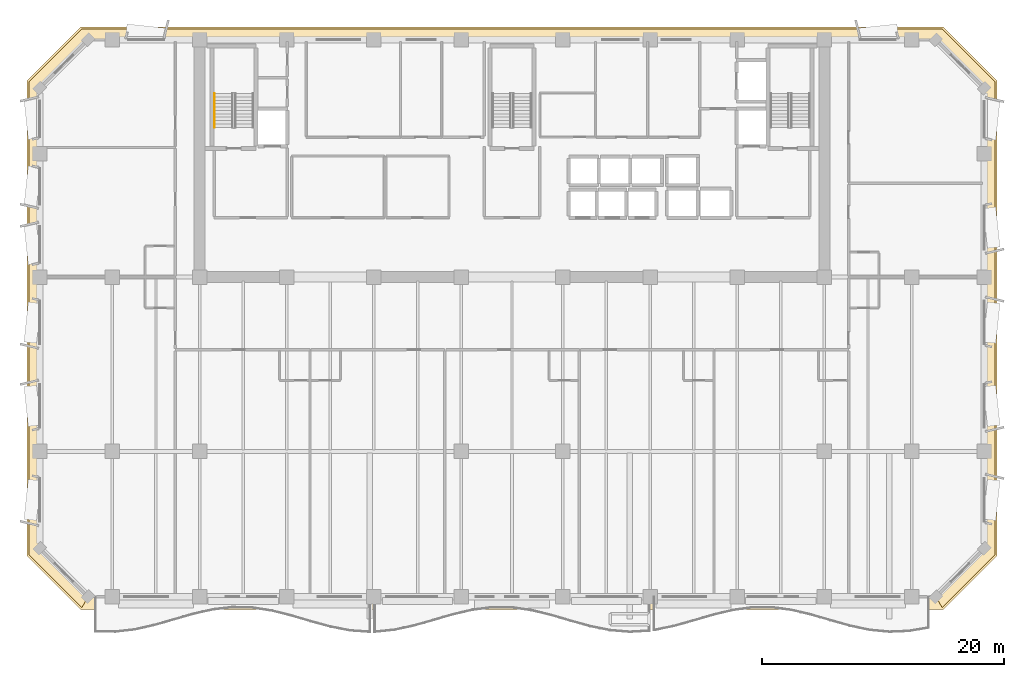
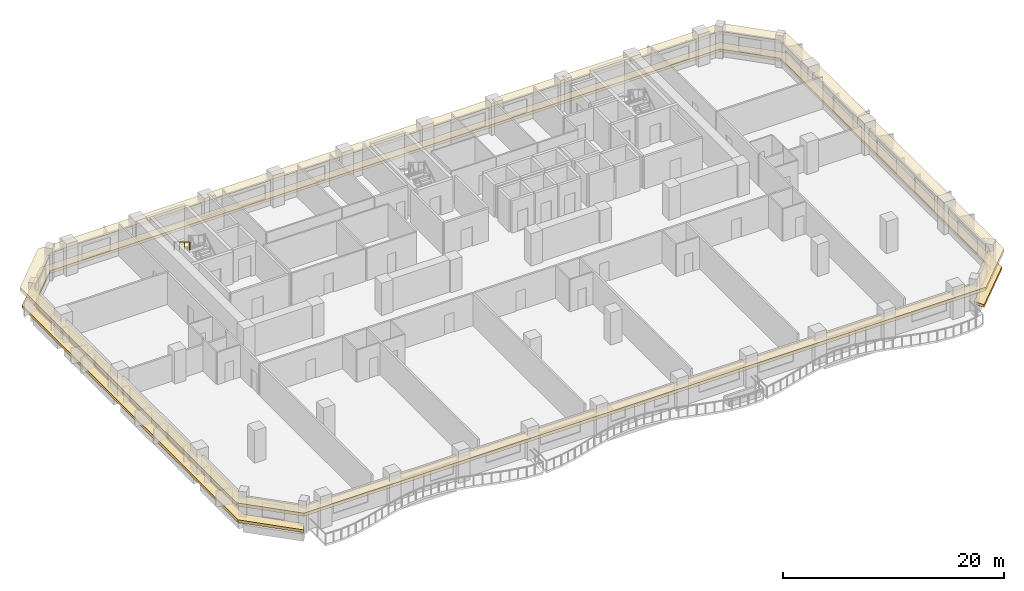
# One storey, part 11 of 14: 2 coverings, 1 railing.
"""IFC4 building model written with IfcOpenShell, lengths in metres."""

from ifc_helpers import new_model, si_unit, direction, frame, origin, origin_2d, place, context, subcontext, project, spatial, polyline, rectangle, outline, extrude, material, layer, layer_set, type_object, element, save


model = new_model("IFC4")

# Units and contexts
model_context = context("Model", 3, precision=1e-05, world=origin(), true_north=direction((0.0, 1.0)))
body_context = subcontext(model_context, "Body", "Model", "MODEL_VIEW")
ifc_project = project(units=[si_unit("LENGTHUNIT", "METRE"), si_unit("AREAUNIT", "SQUARE_METRE"), si_unit("VOLUMEUNIT", "CUBIC_METRE"), si_unit("PLANEANGLEUNIT", "RADIAN"), si_unit("MASSUNIT", "GRAM", prefix="KILO")], contexts=[model_context])

# Site, building, storey
site_placement = place(None, origin())
site = spatial("IfcSite", under=ifc_project, at=site_placement, CompositionType="ELEMENT")
building_placement = place(site_placement, origin())
building = spatial("IfcBuilding", under=site, at=building_placement, Name="Kaelvorn Grand Hotel", CompositionType="ELEMENT")
storey_placement = place(building_placement, frame((0.0, 0.0, 201.550048828125)))
storey = spatial("IfcBuildingStorey", under=building, at=storey_placement, Name="L49", CompositionType="ELEMENT", Elevation=201.550048828125)

# Coverings
ifc_material_1 = material(Name="Precast concrete C45/55", Category="concrete")
ifc_layer_1 = layer(ifc_material_1, 0.260009765625)
ifc_layer_set_1 = layer_set([ifc_layer_1], Name="Precast concrete C45/55")
covering_type_1 = type_object("IfcCoveringType", Name="COV-BAND-STREAMLINE-HEAD", PredefinedType="CLADDING", material=ifc_layer_set_1)
covering_1_placement = place(storey_placement, frame((0.0, 0.0, 2.3798828125)))
element("IfcCovering", 1, at=covering_1_placement, inside=storey, type_object=covering_type_1, Name="L49 Streamline Moderne Wraparound Horizontal Eyebrow Band", PredefinedType="CLADDING", context=body_context, shape_type="SweptSolid", body=[
    extrude(outline(polyline([(6.389892578125, 1.949951171875), (77.610107421875, 1.949951171875), (82.050048828125, 6.389892578125), (82.050048828125, 45.610107421875), (77.610107421875, 50.050048828125), (6.389892578125, 50.050048828125), (1.949951171875, 45.610107421875), (1.949951171875, 6.389892578125), (6.389892578125, 1.949951171875)]), holes=[polyline([(7.02001953125, 3.030029296875), (76.97998046875, 3.030029296875), (80.969970703125, 7.02001953125), (80.969970703125, 44.97998046875), (76.97998046875, 48.969970703125), (7.02001953125, 48.969970703125), (3.030029296875, 44.97998046875), (3.030029296875, 7.02001953125), (7.02001953125, 3.030029296875)])]), origin(), (0.0, 0.0, 1.0), 0.360107421875),
])
ifc_layer_2 = layer(ifc_material_1, 0.219970703125)
ifc_layer_set_2 = layer_set([ifc_layer_2], Name="Precast concrete C45/55")
covering_type_2 = type_object("IfcCoveringType", Name="COV-BAND-STREAMLINE-SILL", PredefinedType="CLADDING", material=ifc_layer_set_2)
covering_2_placement = place(storey_placement, frame((0.0, 0.0, 0.449951171875)))
element("IfcCovering", 2, at=covering_2_placement, inside=storey, type_object=covering_type_2, Name="L49 Streamline Moderne Wraparound Horizontal Sill Spandrel Band", PredefinedType="CLADDING", context=body_context, shape_type="SweptSolid", body=[
    extrude(outline(polyline([(77.515380859375, 2.1201171875), (81.8798828125, 6.484619140625), (81.8798828125, 45.515380859375), (77.515380859375, 49.8798828125), (6.484619140625, 49.8798828125), (2.1201171875, 45.515380859375), (2.1201171875, 6.484619140625), (6.484619140625, 2.1201171875), (7.017578125, 3.030029296875), (3.030029296875, 7.017578125), (3.030029296875, 44.982421875), (7.017578125, 48.969970703125), (76.982421875, 48.969970703125), (80.969970703125, 44.982421875), (80.969970703125, 7.017578125), (76.982421875, 3.030029296875), (77.515380859375, 2.1201171875)])), origin(), (0.0, 0.0, 1.0), 0.300048828125),
])

# Railing
ifc_material_2 = material(Name="Stainless Steel", Category="steel")
railing_type = type_object("IfcRailingType", Name="RL-HANDRAIL-900", PredefinedType="HANDRAIL", material=ifc_material_2)
railing_placement = place(storey_placement, frame((17.449951171875, 44.56005859375, 2.07275390625)))
element("IfcRailing", 3, at=railing_placement, inside=storey, type_object=railing_type, Name="L49 ST1 stair handrail 2", PredefinedType="HANDRAIL", context=body_context, shape_type="SweptSolid", body=[
    extrude(rectangle(XDim=0.048095703125, YDim=0.048095703125, at=origin_2d()), frame((0.0, 0.0, 0.8759765625), z_axis=(0.0, -0.851089632645, 0.525020415988), x_axis=(1.0, 0.0, 0.0)), (0.0, 0.0, 1.0), 3.2900390625),
    extrude(rectangle(XDim=0.0419921875, YDim=0.0419921875, at=origin_2d()), origin(), (0.0, 0.0, 1.0), 0.851806640625),
    extrude(rectangle(XDim=0.0419921875, YDim=0.0419921875, at=origin_2d()), frame((0.0, -0.933349609375, 0.57568359375)), (0.0, 0.0, 1.0), 0.851806640625),
    extrude(rectangle(XDim=0.0419921875, YDim=0.0419921875, at=origin_2d()), frame((0.0, -1.86669921875, 1.151611328125)), (0.0, 0.0, 1.0), 0.851806640625),
    extrude(rectangle(XDim=0.0419921875, YDim=0.0419921875, at=origin_2d()), frame((0.0, -2.800048828125, 1.727294921875)), (0.0, 0.0, 1.0), 0.851806640625),
])

save(model, "model.ifc")
